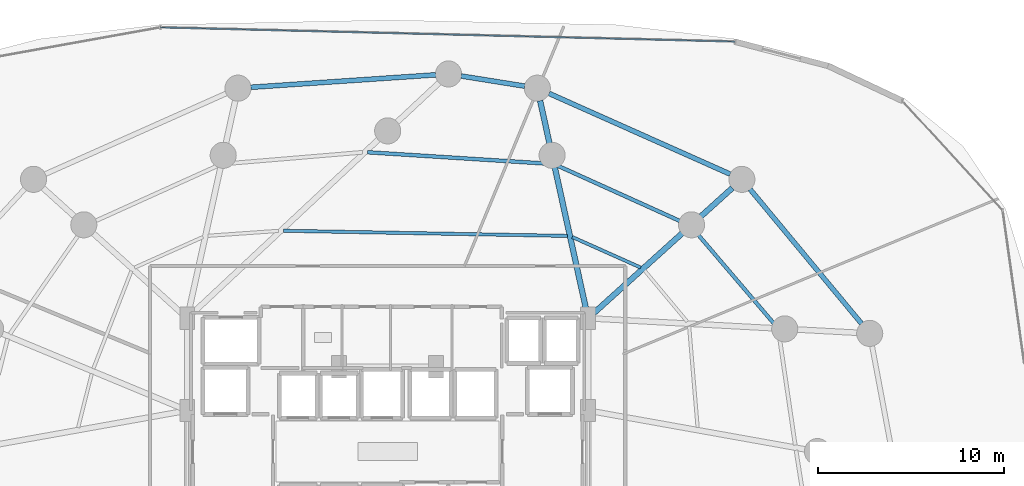
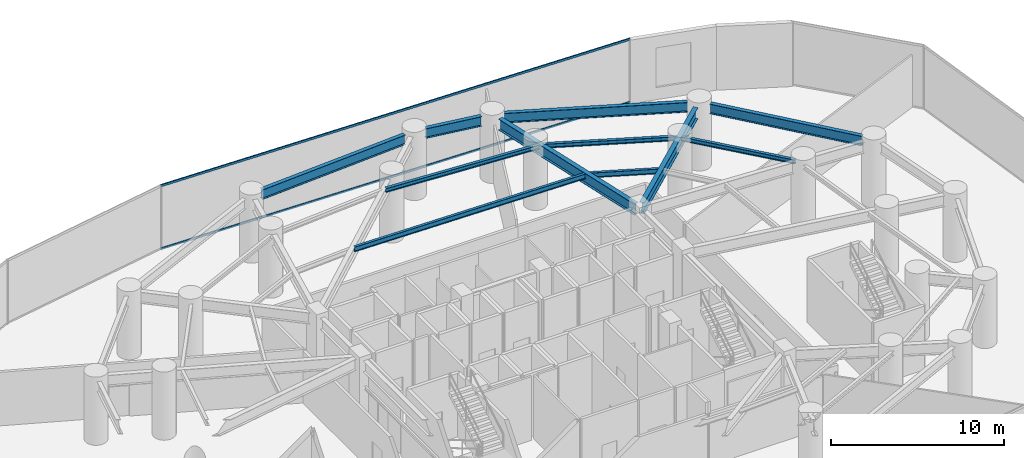
# One storey, part 16 of 26: 11 beams, 2 members, 1 element without a shape of its own.
"""IFC4 building model written with IfcOpenShell, lengths in metres."""

from ifc_helpers import new_model, si_unit, direction, frame, origin, origin_2d, place, context, subcontext, project, spatial, hollow_rectangle, i_section, extrude, material, material_profile, profile_set, type_object, element, aggregate, save


model = new_model("IFC4")

# Units and contexts
model_context = context("Model", 3, precision=1e-05, world=origin(), true_north=direction((0.0, 1.0)))
body_context = subcontext(model_context, "Body", "Model", "MODEL_VIEW")
ifc_project = project(units=[si_unit("LENGTHUNIT", "METRE"), si_unit("AREAUNIT", "SQUARE_METRE"), si_unit("VOLUMEUNIT", "CUBIC_METRE"), si_unit("PLANEANGLEUNIT", "RADIAN"), si_unit("MASSUNIT", "GRAM", prefix="KILO")], contexts=[model_context])

# Site, building, storey
site_placement = place(None, origin())
site = spatial("IfcSite", under=ifc_project, at=site_placement, CompositionType="ELEMENT")
building_placement = place(site_placement, origin())
building = spatial("IfcBuilding", under=site, at=building_placement, Name="Vorneva Point Tower", CompositionType="ELEMENT")
storey_placement = place(building_placement, frame((0.0, 0.0, 14.39990234375)))
storey = spatial("IfcBuildingStorey", under=building, at=storey_placement, Name="L03", CompositionType="ELEMENT", Elevation=14.39990234375)

# Beams
ifc_material_1 = material(Name="Steel S355", Category="steel")
ifc_material_profile_1 = material_profile(ifc_material_1, i_section(OverallWidth=0.300048828125, OverallDepth=0.7880859375, WebThickness=0.014404296875, FlangeThickness=0.02197265625, at=origin_2d()), Name="80Sh1")
ifc_profile_set_1 = profile_set([ifc_material_profile_1], Name="Steel S355")
beam_type_1 = type_object("IfcBeamType", Name="BM-GRD-80Sh1", PredefinedType="USERDEFINED", material=ifc_profile_set_1)
beam_1_placement = place(storey_placement, frame((56.48681640625, 40.138671875, 4.086181640625), z_axis=(-0.742080891711, -0.670310338692, 0.0), x_axis=(0.670310338692, -0.742080891711, 0.0)))
element("IfcBeam", 1, at=beam_1_placement, inside=storey, type_object=beam_type_1, Name="L03 Radial Primary Girder 03", ObjectType="GIRDER", PredefinedType="USERDEFINED", context=body_context, shape_type="SweptSolid", body=[
    extrude(i_section(OverallWidth=0.300048828125, OverallDepth=0.7880859375, WebThickness=0.014404296875, FlangeThickness=0.02197265625, at=origin_2d()), origin(), (0.0, 0.0, 1.0), 10.0859375),
])
beam_2_placement = place(storey_placement, frame((46.174560546875, 44.81982421875, 4.086181640625), z_axis=(0.215507553279, -0.97650217331, 0.0), x_axis=(0.97650217331, 0.215507553279, 0.0)))
element("IfcBeam", 2, at=beam_2_placement, inside=storey, type_object=beam_type_1, Name="L03 Radial Primary Girder 04", ObjectType="GIRDER", PredefinedType="USERDEFINED", context=body_context, shape_type="SweptSolid", body=[
    extrude(i_section(OverallWidth=0.300048828125, OverallDepth=0.7880859375, WebThickness=0.014404296875, FlangeThickness=0.02197265625, at=origin_2d()), origin(), (0.0, 0.0, 1.0), 11.610595703125),
])
ifc_material_profile_2 = material_profile(ifc_material_1, i_section(OverallWidth=0.199951171875, OverallDepth=0.291015625, WebThickness=0.008056640625, FlangeThickness=0.010986328125, at=origin_2d()), Name="30Sh1")
ifc_profile_set_2 = profile_set([ifc_material_profile_2], Name="Steel S355")
beam_type_2 = type_object("IfcBeamType", Name="BM-SEC-30Sh1", PredefinedType="BEAM", material=ifc_profile_set_2)
beam_3_placement = place(storey_placement, frame((58.8544921875, 32.7060546875, 4.334716796875), z_axis=(-0.649231727944, 0.760590667463, 0.0), x_axis=(-0.760590667463, -0.649231727944, 0.0)))
element("IfcBeam", 3, at=beam_3_placement, inside=storey, type_object=beam_type_2, Name="L03 Secondary Floor Beam 1.02", PredefinedType="BEAM", context=body_context, shape_type="SweptSolid", body=[
    extrude(i_section(OverallWidth=0.199951171875, OverallDepth=0.291015625, WebThickness=0.008056640625, FlangeThickness=0.010986328125, at=origin_2d()), origin(), (0.0, 0.0, 1.0), 6.96728515625),
])
beam_4_placement = place(storey_placement, frame((54.11572265625, 38.167236328125, 4.334716796875), z_axis=(-0.911190676333, 0.411984892154, 0.0), x_axis=(-0.411984892154, -0.911190676333, 0.0)))
element("IfcBeam", 4, at=beam_4_placement, inside=storey, type_object=beam_type_2, Name="L03 Secondary Floor Beam 1.03", PredefinedType="BEAM", context=body_context, shape_type="SweptSolid", body=[
    extrude(i_section(OverallWidth=0.199951171875, OverallDepth=0.291015625, WebThickness=0.008056640625, FlangeThickness=0.010986328125, at=origin_2d()), origin(), (0.0, 0.0, 1.0), 7.75341796875),
])
beam_5_placement = place(storey_placement, frame((46.787353515625, 41.42724609375, 4.334716796875), z_axis=(-0.9979903039, 0.063366815624, 0.0), x_axis=(-0.063366815624, -0.9979903039, 0.0)))
element("IfcBeam", 5, at=beam_5_placement, inside=storey, type_object=beam_type_2, Name="L03 Secondary Floor Beam 1.04", PredefinedType="BEAM", context=body_context, shape_type="SweptSolid", body=[
    extrude(i_section(OverallWidth=0.199951171875, OverallDepth=0.291015625, WebThickness=0.008056640625, FlangeThickness=0.010986328125, at=origin_2d()), origin(), (0.0, 0.0, 1.0), 9.88623046875),
])
ifc_material_profile_3 = material_profile(ifc_material_1, i_section(OverallWidth=0.174072265625, OverallDepth=0.345947265625, WebThickness=0.006103515625, FlangeThickness=0.009033203125, at=origin_2d()), Name="35B1")
ifc_profile_set_3 = profile_set([ifc_material_profile_3], Name="Steel S355")
beam_type_3 = type_object("IfcBeamType", Name="BM-SEC-35B1", PredefinedType="BEAM", material=ifc_profile_set_3)
beam_6_placement = place(storey_placement, frame((51.57080078125, 35.867919921875, 4.30712890625), z_axis=(-0.913000525932, 0.4079583798, 0.0), x_axis=(-0.4079583798, -0.913000525932, 0.0)))
element("IfcBeam", 6, at=beam_6_placement, inside=storey, type_object=beam_type_3, Name="L03 Secondary Floor Beam 2.03", PredefinedType="BEAM", context=body_context, shape_type="SweptSolid", body=[
    extrude(i_section(OverallWidth=0.174072265625, OverallDepth=0.345947265625, WebThickness=0.006103515625, FlangeThickness=0.009033203125, at=origin_2d()), origin(), (0.0, 0.0, 1.0), 4.0185546875),
])
beam_7_placement = place(storey_placement, frame((47.637939453125, 37.566162109375, 4.30712890625), z_axis=(-0.999833860467, 0.018227766276, 0.0), x_axis=(-0.018227766276, -0.999833860467, 0.0)))
element("IfcBeam", 7, at=beam_7_placement, inside=storey, type_object=beam_type_3, Name="L03 Secondary Floor Beam 2.04", PredefinedType="BEAM", context=body_context, shape_type="SweptSolid", body=[
    extrude(i_section(OverallWidth=0.174072265625, OverallDepth=0.345947265625, WebThickness=0.006103515625, FlangeThickness=0.009033203125, at=origin_2d()), origin(), (0.0, 0.0, 1.0), 15.228759765625),
])
ifc_material_profile_4 = material_profile(ifc_material_1, i_section(OverallWidth=0.260009765625, OverallDepth=0.69091796875, WebThickness=0.011962890625, FlangeThickness=0.015380859375, at=origin_2d()), Name="70B1")
ifc_profile_set_4 = profile_set([ifc_material_profile_4], Name="Steel S355")
beam_type_4 = type_object("IfcBeamType", Name="BM-SPN-70B1", PredefinedType="SPANDREL", material=ifc_profile_set_4)
beam_8_placement = place(storey_placement, frame((63.4169921875, 32.86376953125, 4.134521484375), z_axis=(-0.638588560604, 0.769548341734, 0.0), x_axis=(-0.769548341734, -0.638588560604, 0.0)))
element("IfcBeam", 8, at=beam_8_placement, inside=storey, type_object=beam_type_4, Name="L03 Perimeter Spandrel Ring Beam 02", PredefinedType="SPANDREL", context=body_context, shape_type="SweptSolid", body=[
    extrude(i_section(OverallWidth=0.260009765625, OverallDepth=0.69091796875, WebThickness=0.011962890625, FlangeThickness=0.015380859375, at=origin_2d()), origin(), (0.0, 0.0, 1.0), 9.367919921875),
])
beam_9_placement = place(storey_placement, frame((56.371826171875, 40.87890625, 4.134521484375), z_axis=(-0.913331288807, 0.407217333725, 0.0), x_axis=(-0.407217333725, -0.913331288807, 0.0)))
element("IfcBeam", 9, at=beam_9_placement, inside=storey, type_object=beam_type_4, Name="L03 Perimeter Spandrel Ring Beam 03", PredefinedType="SPANDREL", context=body_context, shape_type="SweptSolid", body=[
    extrude(i_section(OverallWidth=0.260009765625, OverallDepth=0.69091796875, WebThickness=0.011962890625, FlangeThickness=0.015380859375, at=origin_2d()), origin(), (0.0, 0.0, 1.0), 10.642333984375),
])
beam_10_placement = place(storey_placement, frame((45.349853515625, 45.599609375, 4.134521484375), z_axis=(-0.987471068592, 0.157800154289, 0.0), x_axis=(-0.157800154289, -0.987471068592, 0.0)))
element("IfcBeam", 10, at=beam_10_placement, inside=storey, type_object=beam_type_4, Name="L03 Perimeter Spandrel Ring Beam 04", PredefinedType="SPANDREL", context=body_context, shape_type="SweptSolid", body=[
    extrude(i_section(OverallWidth=0.260009765625, OverallDepth=0.69091796875, WebThickness=0.011962890625, FlangeThickness=0.015380859375, at=origin_2d()), origin(), (0.0, 0.0, 1.0), 3.45166015625),
])
beam_11_placement = place(storey_placement, frame((40.581787109375, 46.206298828125, 4.134521484375), z_axis=(-0.997737774229, -0.067225991085, 0.0), x_axis=(0.067225991085, -0.997737774229, 0.0)))
element("IfcBeam", 11, at=beam_11_placement, inside=storey, type_object=beam_type_4, Name="L03 Perimeter Spandrel Ring Beam 05", PredefinedType="SPANDREL", context=body_context, shape_type="SweptSolid", body=[
    extrude(i_section(OverallWidth=0.260009765625, OverallDepth=0.69091796875, WebThickness=0.011962890625, FlangeThickness=0.015380859375, at=origin_2d()), origin(), (0.0, 0.0, 1.0), 9.947021484375),
])

# Curtain wall, members
ifc_material_2 = material(Name="Pale anodised aluminium", Category="aluminium")
curtain_wall_type = type_object("IfcCurtainWallType", Name="CW-POD-SYS", PredefinedType="NOTDEFINED", material=ifc_material_2)
curtain_wall_placement = place(storey_placement, origin())
curtain_wall = element("IfcCurtainWall", 12, at=curtain_wall_placement, inside=storey, type_object=curtain_wall_type, Name="L03 Unitised Curtain Wall CW-L03-R02", PredefinedType="NOTDEFINED")
ifc_material_profile_5 = material_profile(ifc_material_2, hollow_rectangle(XDim=0.074951171875, YDim=0.14990234375, WallThickness=0.00390625, at=origin_2d()), Name="AL-TRN 150x75x4")
ifc_profile_set_5 = profile_set([ifc_material_profile_5], Name="Pale anodised aluminium")
member_type = type_object("IfcMemberType", Name="CW-TRN-150", PredefinedType="USERDEFINED", material=ifc_profile_set_5)
member_1_placement = place(storey_placement, frame((56.6181640625, 47.987060546875, 0.02001953125), z_axis=(-0.999694278386, 0.02472548811, 0.0), x_axis=(-0.02472548811, -0.999694278386, 0.0)))
member_1 = element("IfcMember", 13, at=member_1_placement, type_object=member_type, Name="CW-L03-R02 Transom 01.1", ObjectType="TRANSOM", PredefinedType="USERDEFINED", context=body_context, shape_type="SweptSolid", body=[
    extrude(hollow_rectangle(XDim=0.074951171875, YDim=0.14990234375, WallThickness=0.00390625, at=origin_2d()), origin(), (0.0, 0.0, 1.0), 30.80712890625),
])
member_2_placement = place(storey_placement, frame((56.6181640625, 47.987060546875, 4.460205078125), z_axis=(-0.999694278386, 0.02472548811, 0.0), x_axis=(-0.02472548811, -0.999694278386, 0.0)))
member_2 = element("IfcMember", 14, at=member_2_placement, type_object=member_type, Name="CW-L03-R02 Transom 01.2", ObjectType="TRANSOM", PredefinedType="USERDEFINED", context=body_context, shape_type="SweptSolid", body=[
    extrude(hollow_rectangle(XDim=0.074951171875, YDim=0.14990234375, WallThickness=0.00390625, at=origin_2d()), origin(), (0.0, 0.0, 1.0), 30.80712890625),
])
aggregate(curtain_wall, [member_1, member_2])

save(model, "model.ifc")
